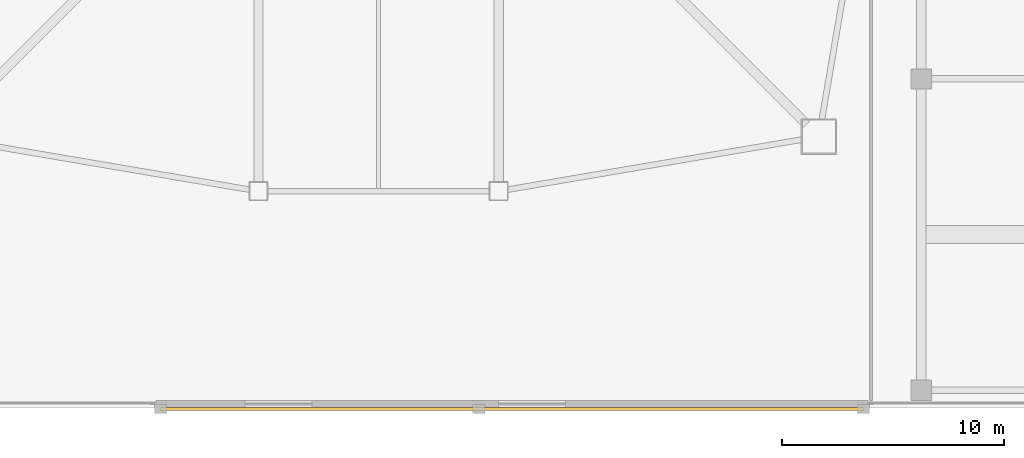
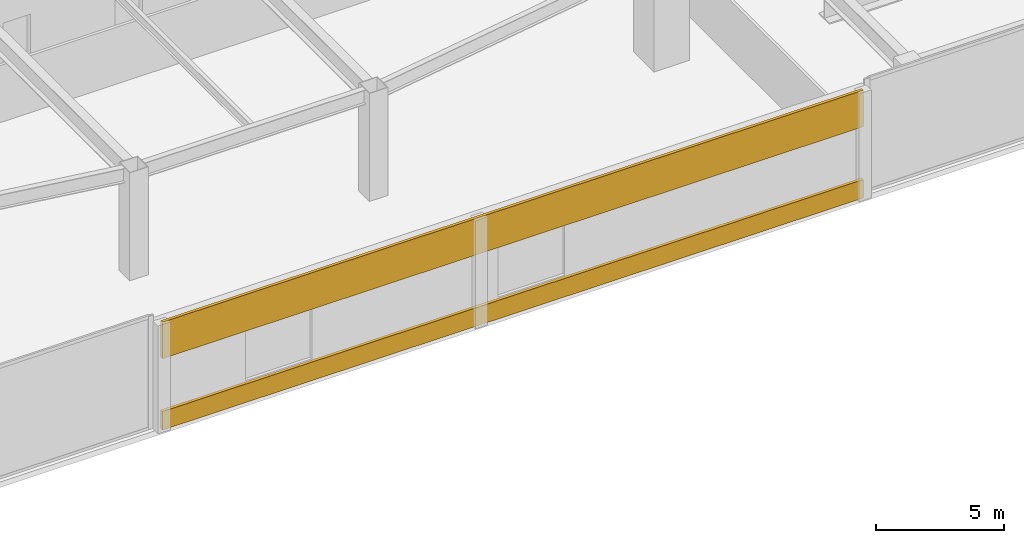
# One storey, part 41 of 48: 2 coverings.
"""IFC4 building model written with IfcOpenShell, lengths in metres."""

from ifc_helpers import new_model, si_unit, direction, frame, origin, origin_2d, place, context, subcontext, project, spatial, rectangle, extrude, material, layer, layer_set, type_object, element, save


model = new_model("IFC4")

# Units and contexts
model_context = context("Model", 3, precision=1e-05, world=origin(), true_north=direction((0.0, 1.0)))
body_context = subcontext(model_context, "Body", "Model", "MODEL_VIEW")
ifc_project = project(units=[si_unit("LENGTHUNIT", "METRE"), si_unit("AREAUNIT", "SQUARE_METRE"), si_unit("VOLUMEUNIT", "CUBIC_METRE"), si_unit("PLANEANGLEUNIT", "RADIAN"), si_unit("MASSUNIT", "GRAM", prefix="KILO")], contexts=[model_context])

# Site, building, storey
site_placement = place(None, origin())
site = spatial("IfcSite", under=ifc_project, at=site_placement, CompositionType="ELEMENT")
building_placement = place(site_placement, origin())
building = spatial("IfcBuilding", under=site, at=building_placement, Name="Tashvorn Skyway Center", CompositionType="ELEMENT")
storey_placement = place(building_placement, frame((0.0, 0.0, 10.199951171875)))
storey = spatial("IfcBuildingStorey", under=building, at=storey_placement, Name="L02", CompositionType="ELEMENT", Elevation=10.199951171875)

# Coverings
ifc_material = material(Name="Precast concrete C40/50", Category="concrete")
ifc_layer = layer(ifc_material, 0.35009765625)
ifc_layer_set = layer_set([ifc_layer], Name="Precast concrete C40/50")
covering_type = type_object("IfcCoveringType", Name="COV-STONE-TRIM", PredefinedType="CLADDING", material=ifc_layer_set)
covering_1_placement = place(storey_placement, frame((48.0, -0.0400390625, 0.0), z_axis=(0.0, 0.0, 1.0), x_axis=(1.0, 0.0, 0.0)))
element("IfcCovering", 1, at=covering_1_placement, inside=storey, type_object=covering_type, Name="L02 Limestone Sill Course S-M1", PredefinedType="CLADDING", context=body_context, shape_type="SweptSolid", body=[
    extrude(rectangle(XDim=31.60009765625, YDim=0.139892578125, at=origin_2d()), origin(), (0.0, 0.0, 1.0), 0.8798828125),
])
covering_2_placement = place(storey_placement, frame((48.0, -0.0400390625, 3.39990234375), z_axis=(0.0, 0.0, 1.0), x_axis=(1.0, 0.0, 0.0)))
element("IfcCovering", 2, at=covering_2_placement, inside=storey, type_object=covering_type, Name="L02 Limestone Spandrel Course S-M1", PredefinedType="CLADDING", context=body_context, shape_type="SweptSolid", body=[
    extrude(rectangle(XDim=31.60009765625, YDim=0.139892578125, at=origin_2d()), origin(), (0.0, 0.0, 1.0), 1.739990234375),
])

save(model, "model.ifc")
